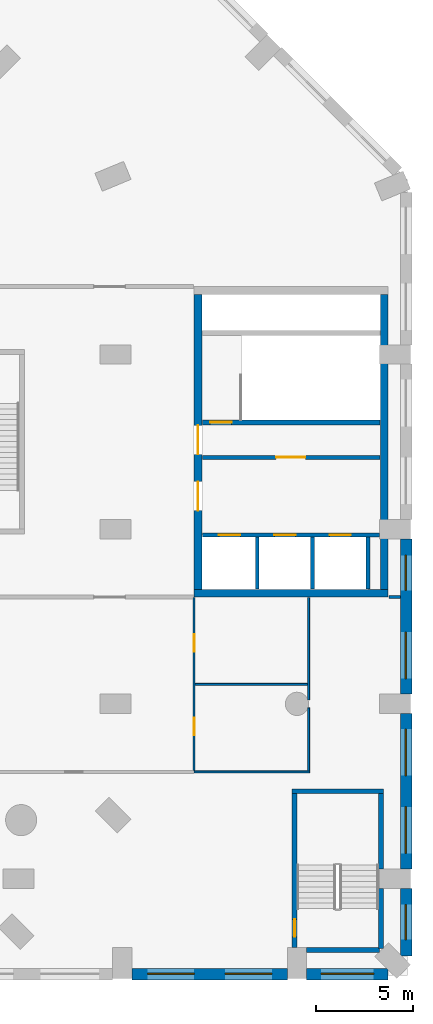
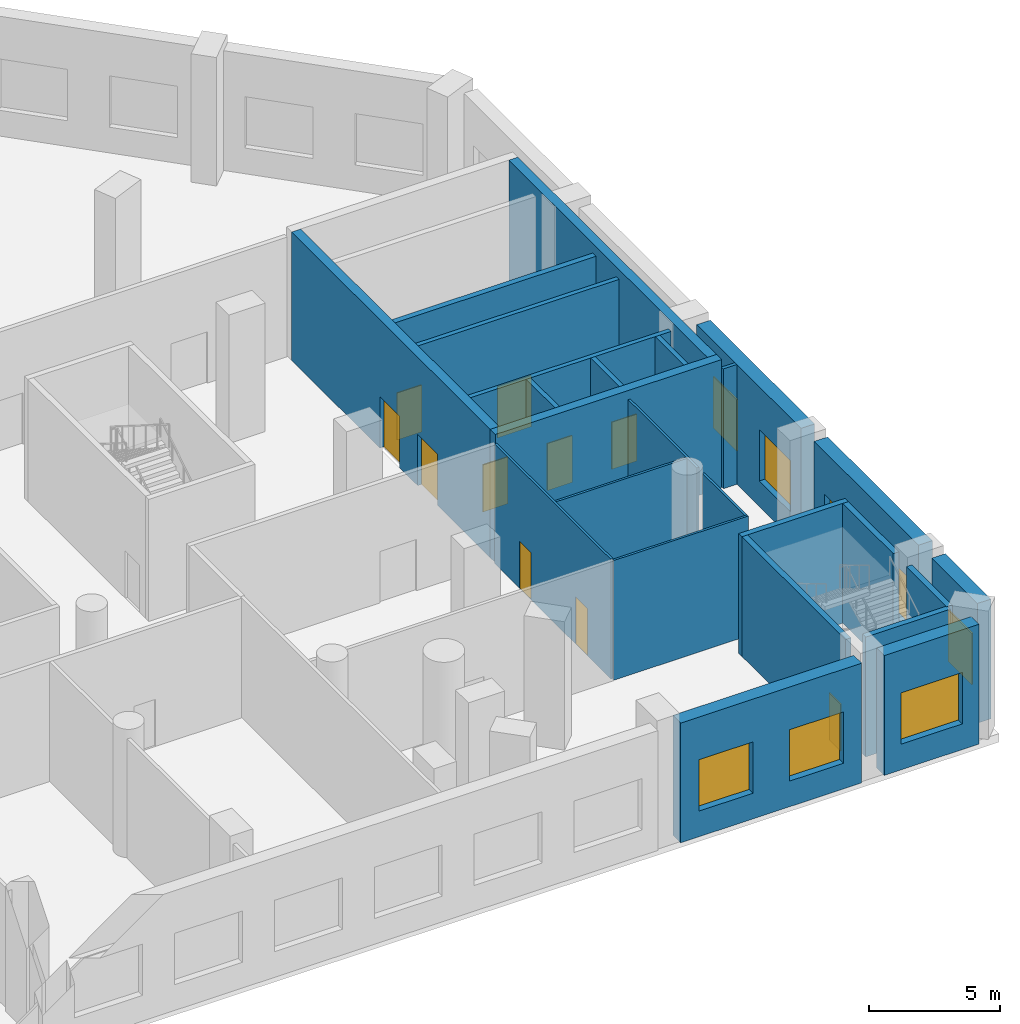
# One storey, part 8 of 19: 25 walls, 10 doors, 8 windows, 18 openings.
"""IFC4 building model written with IfcOpenShell, lengths in metres."""

from ifc_helpers import new_model, si_unit, direction, frame, frame_2d, origin, place, context, subcontext, project, spatial, rectangle, extrude, material, layer, layer_set, type_object, element, fill, save


model = new_model("IFC4")

# Units and contexts
model_context = context("Model", 3, precision=1e-05, world=origin(), true_north=direction((0.0, 1.0)))
body_context = subcontext(model_context, "Body", "Model", "MODEL_VIEW")
ifc_project = project(units=[si_unit("LENGTHUNIT", "METRE"), si_unit("AREAUNIT", "SQUARE_METRE"), si_unit("VOLUMEUNIT", "CUBIC_METRE"), si_unit("PLANEANGLEUNIT", "RADIAN"), si_unit("MASSUNIT", "GRAM", prefix="KILO")], contexts=[model_context])

# Site, building, storey
site_placement = place(None, origin())
site = spatial("IfcSite", under=ifc_project, at=site_placement, CompositionType="ELEMENT")
building_placement = place(site_placement, origin())
building = spatial("IfcBuilding", under=site, at=building_placement, Name="Cypress Arch Tower", CompositionType="ELEMENT")
storey_placement = place(building_placement, frame((0.0, 0.0, 44.0)))
storey = spatial("IfcBuildingStorey", under=building, at=storey_placement, Name="L05", CompositionType="ELEMENT", Elevation=44.0)

# Wall, openings, windows
ifc_material_1 = material(Name="Brick (red buff blend) on blockwork backing", Category="masonry")
ifc_layer_1 = layer(ifc_material_1, 0.60009765625)
ifc_layer_set_1 = layer_set([ifc_layer_1], Name="Brick base wall BW600")
wall_type_1 = type_object("IfcWallType", Name="Brick base wall BW600", PredefinedType="ELEMENTEDWALL", material=ifc_layer_set_1)
wall_1_placement = place(storey_placement, frame((24.800048828125, -27.425048828125, 0.0), z_axis=(0.0, 0.0, 1.0), x_axis=(1.0, 0.0, 0.0)))
wall_1 = element("IfcWall", 1, at=wall_1_placement, inside=storey, type_object=wall_type_1, Name="Brick wall L05 P00.7", PredefinedType="ELEMENTEDWALL", context=body_context, shape_type="SweptSolid", body=[
    extrude(rectangle(XDim=8.0, YDim=0.60009765625, at=frame_2d((4.0, 0.0))), origin(), (0.0, 0.0, 1.0), 5.595947265625),
])
opening_1_placement = place(wall_1_placement, frame((0.800048828125, 0.0, 1.199951171875)))
opening_1 = element("IfcOpeningElement", 2, at=opening_1_placement, cuts=wall_1, Name="Opening W240P", PredefinedType="OPENING", context=body_context, shape_type="SweptSolid", body=[
    extrude(rectangle(XDim=2.39990234375, YDim=2.39990234375, at=frame_2d((1.199951171875, 1.199951171875))), frame((0.0, 0.31005859375, 0.0), z_axis=(0.0, -1.0, 0.0), x_axis=(1.0, 0.0, 0.0)), (0.0, 0.0, 1.0), 0.6201171875),
])
opening_2_placement = place(wall_1_placement, frame((4.800048828125, 0.0, 1.199951171875)))
opening_2 = element("IfcOpeningElement", 3, at=opening_2_placement, cuts=wall_1, Name="Opening W240P", PredefinedType="OPENING", context=body_context, shape_type="SweptSolid", body=[
    extrude(rectangle(XDim=2.39990234375, YDim=2.39990234375, at=frame_2d((1.199951171875, 1.199951171875))), frame((0.0, 0.31005859375, 0.0), z_axis=(0.0, -1.0, 0.0), x_axis=(1.0, 0.0, 0.0)), (0.0, 0.0, 1.0), 0.6201171875),
])
ifc_material_2 = material(Name="Anodised aluminium, bronze finish, clear low-emissivity double glazing", Category="aluminium")
window_type_1 = type_object("IfcWindowType", Name="Window Podium 2400x2400", PartitioningType="SINGLE_PANEL", PredefinedType="WINDOW", material=ifc_material_2)
window_1_placement = place(opening_1_placement, origin())
window_1 = element("IfcWindow", 4, at=window_1_placement, inside=storey, type_object=window_type_1, Name="Window L05 P00.7.1", OverallHeight=2.39990234375, OverallWidth=2.39990234375, PartitioningType="SINGLE_PANEL", PredefinedType="WINDOW", context=body_context, shape_type="SweptSolid", body=[
    extrude(rectangle(XDim=2.39990234375, YDim=2.39990234375, at=frame_2d((1.199951171875, 1.199951171875))), frame((0.0, 0.06005859375, 0.0), z_axis=(0.0, -1.0, 0.0), x_axis=(1.0, 0.0, 0.0)), (0.0, 0.0, 1.0), 0.06005859375),
])
fill(opening_1, window_1)
window_2_placement = place(opening_2_placement, origin())
window_2 = element("IfcWindow", 5, at=window_2_placement, inside=storey, type_object=window_type_1, Name="Window L05 P00.7.2", OverallHeight=2.39990234375, OverallWidth=2.39990234375, PartitioningType="SINGLE_PANEL", PredefinedType="WINDOW", context=body_context, shape_type="SweptSolid", body=[
    extrude(rectangle(XDim=2.39990234375, YDim=2.39990234375, at=frame_2d((1.199951171875, 1.199951171875))), frame((0.0, 0.06005859375, 0.0), z_axis=(0.0, -1.0, 0.0), x_axis=(1.0, 0.0, 0.0)), (0.0, 0.0, 1.0), 0.06005859375),
])
fill(opening_2, window_2)

# Wall, opening, window
wall_2_placement = place(storey_placement, frame((33.800048828125, -27.425048828125, 0.0), z_axis=(0.0, 0.0, 1.0), x_axis=(1.0, 0.0, 0.0)))
wall_2 = element("IfcWall", 6, at=wall_2_placement, inside=storey, type_object=wall_type_1, Name="Brick wall L05 P00.8", PredefinedType="ELEMENTEDWALL", context=body_context, shape_type="SweptSolid", body=[
    extrude(rectangle(XDim=4.19287109375, YDim=0.60009765625, at=frame_2d((2.096435546875, 0.0))), origin(), (0.0, 0.0, 1.0), 5.595947265625),
])
opening_3_placement = place(wall_2_placement, frame((0.746337890625, 0.0, 1.199951171875)))
opening_3 = element("IfcOpeningElement", 7, at=opening_3_placement, cuts=wall_2, Name="Opening W270P", PredefinedType="OPENING", context=body_context, shape_type="SweptSolid", body=[
    extrude(rectangle(XDim=2.699951171875, YDim=2.39990234375, at=frame_2d((1.35009765625, 1.199951171875))), frame((0.0, 0.31005859375, 0.0), z_axis=(0.0, -1.0, 0.0), x_axis=(1.0, 0.0, 0.0)), (0.0, 0.0, 1.0), 0.6201171875),
])
ifc_material_3 = material(Name="Anodised aluminium, bronze finish, clear low-emissivity double glazing", Category="aluminium")
window_type_2 = type_object("IfcWindowType", Name="Window Podium 2700x2400", PartitioningType="SINGLE_PANEL", PredefinedType="WINDOW", material=ifc_material_3)
window_3_placement = place(opening_3_placement, origin())
window_3 = element("IfcWindow", 8, at=window_3_placement, inside=storey, type_object=window_type_2, Name="Window L05 P00.8.1", OverallHeight=2.39990234375, OverallWidth=2.699951171875, PartitioningType="SINGLE_PANEL", PredefinedType="WINDOW", context=body_context, shape_type="SweptSolid", body=[
    extrude(rectangle(XDim=2.699951171875, YDim=2.39990234375, at=frame_2d((1.35009765625, 1.199951171875))), frame((0.0, 0.06005859375, 0.0), z_axis=(0.0, -1.0, 0.0), x_axis=(1.0, 0.0, 0.0)), (0.0, 0.0, 1.0), 0.06005859375),
])
fill(opening_3, window_3)

wall_3_placement = place(storey_placement, frame((38.925048828125, -26.492919921875, 0.0), z_axis=(0.0, 0.0, 1.0), x_axis=(0.0, 1.0, 0.0)))
wall_3 = element("IfcWall", 9, at=wall_3_placement, inside=storey, type_object=wall_type_1, Name="Brick wall L05 P01.0", PredefinedType="ELEMENTEDWALL", context=body_context, shape_type="SweptSolid", body=[
    extrude(rectangle(XDim=3.492919921875, YDim=0.60009765625, at=frame_2d((1.74658203125, 0.0))), origin(), (0.0, 0.0, 1.0), 5.595947265625),
])
opening_4_placement = place(wall_3_placement, frame((0.846435546875, 0.0, 1.199951171875)))
opening_4 = element("IfcOpeningElement", 10, at=opening_4_placement, cuts=wall_3, Name="Opening W180P", PredefinedType="OPENING", context=body_context, shape_type="SweptSolid", body=[
    extrude(rectangle(XDim=1.800048828125, YDim=2.39990234375, at=frame_2d((0.89990234375, 1.199951171875))), frame((0.0, 0.31005859375, 0.0), z_axis=(0.0, -1.0, 0.0), x_axis=(1.0, 0.0, 0.0)), (0.0, 0.0, 1.0), 0.6201171875),
])
ifc_material_4 = material(Name="Anodised aluminium, bronze finish, clear low-emissivity double glazing", Category="aluminium")
window_type_3 = type_object("IfcWindowType", Name="Window Podium 1800x2400", PartitioningType="SINGLE_PANEL", PredefinedType="WINDOW", material=ifc_material_4)
window_4_placement = place(opening_4_placement, origin())
window_4 = element("IfcWindow", 11, at=window_4_placement, inside=storey, type_object=window_type_3, Name="Window L05 P01.0.1", OverallHeight=2.39990234375, OverallWidth=1.800048828125, PartitioningType="SINGLE_PANEL", PredefinedType="WINDOW", context=body_context, shape_type="SweptSolid", body=[
    extrude(rectangle(XDim=1.800048828125, YDim=2.39990234375, at=frame_2d((0.89990234375, 1.199951171875))), frame((0.0, 0.06005859375, 0.0), z_axis=(0.0, -1.0, 0.0), x_axis=(1.0, 0.0, 0.0)), (0.0, 0.0, 1.0), 0.06005859375),
])
fill(opening_4, window_4)

# Wall, openings, windows
wall_4_placement = place(storey_placement, frame((38.925048828125, -22.0, 0.0), z_axis=(0.0, 0.0, 1.0), x_axis=(0.0, 1.0, 0.0)))
wall_4 = element("IfcWall", 12, at=wall_4_placement, inside=storey, type_object=wall_type_1, Name="Brick wall L05 P01.1", PredefinedType="ELEMENTEDWALL", context=body_context, shape_type="SweptSolid", body=[
    extrude(rectangle(XDim=8.0, YDim=0.60009765625, at=frame_2d((4.0, 0.0))), origin(), (0.0, 0.0, 1.0), 5.595947265625),
])
opening_5_placement = place(wall_4_placement, frame((0.800048828125, 0.0, 1.199951171875)))
opening_5 = element("IfcOpeningElement", 13, at=opening_5_placement, cuts=wall_4, Name="Opening W240P", PredefinedType="OPENING", context=body_context, shape_type="SweptSolid", body=[
    extrude(rectangle(XDim=2.39990234375, YDim=2.39990234375, at=frame_2d((1.199951171875, 1.199951171875))), frame((0.0, 0.31005859375, 0.0), z_axis=(0.0, -1.0, 0.0), x_axis=(1.0, 0.0, 0.0)), (0.0, 0.0, 1.0), 0.6201171875),
])
opening_6_placement = place(wall_4_placement, frame((4.800048828125, 0.0, 1.199951171875)))
opening_6 = element("IfcOpeningElement", 14, at=opening_6_placement, cuts=wall_4, Name="Opening W240P", PredefinedType="OPENING", context=body_context, shape_type="SweptSolid", body=[
    extrude(rectangle(XDim=2.39990234375, YDim=2.39990234375, at=frame_2d((1.199951171875, 1.199951171875))), frame((0.0, 0.31005859375, 0.0), z_axis=(0.0, -1.0, 0.0), x_axis=(1.0, 0.0, 0.0)), (0.0, 0.0, 1.0), 0.6201171875),
])
window_5_placement = place(opening_5_placement, origin())
window_5 = element("IfcWindow", 15, at=window_5_placement, inside=storey, type_object=window_type_1, Name="Window L05 P01.1.1", OverallHeight=2.39990234375, OverallWidth=2.39990234375, PartitioningType="SINGLE_PANEL", PredefinedType="WINDOW", context=body_context, shape_type="SweptSolid", body=[
    extrude(rectangle(XDim=2.39990234375, YDim=2.39990234375, at=frame_2d((1.199951171875, 1.199951171875))), frame((0.0, 0.06005859375, 0.0), z_axis=(0.0, -1.0, 0.0), x_axis=(1.0, 0.0, 0.0)), (0.0, 0.0, 1.0), 0.06005859375),
])
fill(opening_5, window_5)
window_6_placement = place(opening_6_placement, origin())
window_6 = element("IfcWindow", 16, at=window_6_placement, inside=storey, type_object=window_type_1, Name="Window L05 P01.1.2", OverallHeight=2.39990234375, OverallWidth=2.39990234375, PartitioningType="SINGLE_PANEL", PredefinedType="WINDOW", context=body_context, shape_type="SweptSolid", body=[
    extrude(rectangle(XDim=2.39990234375, YDim=2.39990234375, at=frame_2d((1.199951171875, 1.199951171875))), frame((0.0, 0.06005859375, 0.0), z_axis=(0.0, -1.0, 0.0), x_axis=(1.0, 0.0, 0.0)), (0.0, 0.0, 1.0), 0.06005859375),
])
fill(opening_6, window_6)

wall_5_placement = place(storey_placement, frame((38.925048828125, -13.0, 0.0), z_axis=(0.0, 0.0, 1.0), x_axis=(0.0, 1.0, 0.0)))
wall_5 = element("IfcWall", 17, at=wall_5_placement, inside=storey, type_object=wall_type_1, Name="Brick wall L05 P01.2", PredefinedType="ELEMENTEDWALL", context=body_context, shape_type="SweptSolid", body=[
    extrude(rectangle(XDim=8.0, YDim=0.60009765625, at=frame_2d((4.0, 0.0))), origin(), (0.0, 0.0, 1.0), 5.595947265625),
])
opening_7_placement = place(wall_5_placement, frame((0.800048828125, 0.0, 1.199951171875)))
opening_7 = element("IfcOpeningElement", 18, at=opening_7_placement, cuts=wall_5, Name="Opening W240P", PredefinedType="OPENING", context=body_context, shape_type="SweptSolid", body=[
    extrude(rectangle(XDim=2.39990234375, YDim=2.39990234375, at=frame_2d((1.199951171875, 1.199951171875))), frame((0.0, 0.31005859375, 0.0), z_axis=(0.0, -1.0, 0.0), x_axis=(1.0, 0.0, 0.0)), (0.0, 0.0, 1.0), 0.6201171875),
])
opening_8_placement = place(wall_5_placement, frame((5.35009765625, 0.0, 1.199951171875)))
opening_8 = element("IfcOpeningElement", 19, at=opening_8_placement, cuts=wall_5, Name="Opening W180P", PredefinedType="OPENING", context=body_context, shape_type="SweptSolid", body=[
    extrude(rectangle(XDim=1.800048828125, YDim=2.39990234375, at=frame_2d((0.89990234375, 1.199951171875))), frame((0.0, 0.31005859375, 0.0), z_axis=(0.0, -1.0, 0.0), x_axis=(1.0, 0.0, 0.0)), (0.0, 0.0, 1.0), 0.6201171875),
])
window_7_placement = place(opening_8_placement, origin())
window_7 = element("IfcWindow", 20, at=window_7_placement, inside=storey, type_object=window_type_3, Name="Window L05 P01.2.2", OverallHeight=2.39990234375, OverallWidth=1.800048828125, PartitioningType="SINGLE_PANEL", PredefinedType="WINDOW", context=body_context, shape_type="SweptSolid", body=[
    extrude(rectangle(XDim=1.800048828125, YDim=2.39990234375, at=frame_2d((0.89990234375, 1.199951171875))), frame((0.0, 0.06005859375, 0.0), z_axis=(0.0, -1.0, 0.0), x_axis=(1.0, 0.0, 0.0)), (0.0, 0.0, 1.0), 0.06005859375),
])
fill(opening_8, window_7)
window_8_placement = place(opening_7_placement, origin())
window_8 = element("IfcWindow", 21, at=window_8_placement, inside=storey, type_object=window_type_1, Name="Window L05 P01.2.1", OverallHeight=2.39990234375, OverallWidth=2.39990234375, PartitioningType="SINGLE_PANEL", PredefinedType="WINDOW", context=body_context, shape_type="SweptSolid", body=[
    extrude(rectangle(XDim=2.39990234375, YDim=2.39990234375, at=frame_2d((1.199951171875, 1.199951171875))), frame((0.0, 0.06005859375, 0.0), z_axis=(0.0, -1.0, 0.0), x_axis=(1.0, 0.0, 0.0)), (0.0, 0.0, 1.0), 0.06005859375),
])
fill(opening_7, window_8)

# Wall, opening, door
ifc_material_5 = material(Name="Concrete blockwork, plastered, rated", Category="masonry")
ifc_layer_2 = layer(ifc_material_5, 0.199951171875)
ifc_layer_set_2 = layer_set([ifc_layer_2], Name="Corridor wall FW200")
wall_type_2 = type_object("IfcWallType", Name="Corridor wall FW200", PredefinedType="PARTITIONING", material=ifc_layer_set_2)
wall_6_placement = place(storey_placement, frame((28.429931640625, -0.800048828125, 0.0), z_axis=(0.0, 0.0, 1.0), x_axis=(1.0, 0.0, 0.0)))
wall_6 = element("IfcWall", 22, at=wall_6_placement, inside=storey, type_object=wall_type_2, Name="Corridor wall", PredefinedType="PARTITIONING", context=body_context, shape_type="SweptSolid", body=[
    extrude(rectangle(XDim=9.14013671875, YDim=0.199951171875, at=frame_2d((4.570068359375, 0.0))), origin(), (0.0, 0.0, 1.0), 5.595947265625),
])
opening_9_placement = place(wall_6_placement, frame((3.800048828125, 0.0, 0.0)))
opening_9 = element("IfcOpeningElement", 23, at=opening_9_placement, cuts=wall_6, Name="Opening D07", PredefinedType="OPENING", context=body_context, shape_type="SweptSolid", body=[
    extrude(rectangle(XDim=1.5, YDim=2.39990234375, at=frame_2d((0.75, 1.199951171875))), frame((0.0, 0.10986328125, 0.0), z_axis=(0.0, -1.0, 0.0), x_axis=(1.0, 0.0, 0.0)), (0.0, 0.0, 1.0), 0.219970703125),
])
ifc_material_6 = material(Name="Steel framed glazed door, fire resisting", Category="steel")
door_type_1 = type_object("IfcDoorType", Name="Lobby door D07 1500x2400", OperationType="DOUBLE_DOOR_SINGLE_SWING", PredefinedType="DOOR", material=ifc_material_6)
door_1_placement = place(opening_9_placement, origin())
door_1 = element("IfcDoor", 24, at=door_1_placement, inside=storey, type_object=door_type_1, Name="Lobby door", OperationType="DOUBLE_DOOR_SINGLE_SWING", OverallHeight=2.39990234375, OverallWidth=1.5, PredefinedType="DOOR", context=body_context, shape_type="SweptSolid", body=[
    extrude(rectangle(XDim=1.5, YDim=2.39990234375, at=frame_2d((0.75, 1.199951171875))), frame((0.0, 0.02490234375, 0.0), z_axis=(0.0, -1.0, 0.0), x_axis=(1.0, 0.0, 0.0)), (0.0, 0.0, 1.0), 0.050048828125),
])
fill(opening_9, door_1)

# Walls
ifc_material_7 = material(Name="Concrete C60/75", Category="concrete")
ifc_layer_3 = layer(ifc_material_7, 0.39990234375)
ifc_layer_set_3 = layer_set([ifc_layer_3], Name="East core wall CW400 C60/75")
wall_type_3 = type_object("IfcWallType", Name="East core wall CW400 C60/75", PredefinedType="SHEAR", material=ifc_layer_set_3)
wall_7_placement = place(storey_placement, frame((28.0, -7.800048828125, 0.0), z_axis=(0.0, 0.0, 1.0), x_axis=(1.0, 0.0, 0.0)))
element("IfcWall", 25, at=wall_7_placement, inside=storey, type_object=wall_type_3, Name="East core wall", PredefinedType="SHEAR", context=body_context, shape_type="SweptSolid", body=[
    extrude(rectangle(XDim=10.0, YDim=0.39990234375, at=frame_2d((5.0, 0.0))), origin(), (0.0, 0.0, 1.0), 6.0),
])
wall_8_placement = place(storey_placement, frame((37.800048828125, -7.60009765625, 0.0), z_axis=(0.0, 0.0, 1.0), x_axis=(0.0, 1.0, 0.0)))
element("IfcWall", 26, at=wall_8_placement, inside=storey, type_object=wall_type_3, Name="East core wall", PredefinedType="SHEAR", context=body_context, shape_type="SweptSolid", body=[
    extrude(rectangle(XDim=15.2001953125, YDim=0.39990234375, at=frame_2d((7.60009765625, 0.0))), origin(), (0.0, 0.0, 1.0), 6.0),
])

# Wall, openings, doors
wall_9_placement = place(storey_placement, frame((28.199951171875, -7.60009765625, 0.0), z_axis=(0.0, 0.0, 1.0), x_axis=(0.0, 1.0, 0.0)))
wall_9 = element("IfcWall", 27, at=wall_9_placement, inside=storey, type_object=wall_type_3, Name="East core wall", PredefinedType="SHEAR", context=body_context, shape_type="SweptSolid", body=[
    extrude(rectangle(XDim=15.2001953125, YDim=0.39990234375, at=frame_2d((7.60009765625, 0.0))), origin(), (0.0, 0.0, 1.0), 6.0),
])
opening_10_placement = place(wall_9_placement, frame((4.050048828125, 0.0, 0.0)))
opening_10 = element("IfcOpeningElement", 28, at=opening_10_placement, cuts=wall_9, Name="Opening D07", PredefinedType="OPENING", context=body_context, shape_type="SweptSolid", body=[
    extrude(rectangle(XDim=1.5, YDim=2.39990234375, at=frame_2d((0.75, 1.199951171875))), frame((0.0, 0.2099609375, 0.0), z_axis=(0.0, -1.0, 0.0), x_axis=(1.0, 0.0, 0.0)), (0.0, 0.0, 1.0), 0.419921875),
])
opening_11_placement = place(wall_9_placement, frame((6.949951171875, 0.0, 0.0)))
opening_11 = element("IfcOpeningElement", 29, at=opening_11_placement, cuts=wall_9, Name="Opening D07", PredefinedType="OPENING", context=body_context, shape_type="SweptSolid", body=[
    extrude(rectangle(XDim=1.5, YDim=2.39990234375, at=frame_2d((0.75, 1.199951171875))), frame((0.0, 0.2099609375, 0.0), z_axis=(0.0, -1.0, 0.0), x_axis=(1.0, 0.0, 0.0)), (0.0, 0.0, 1.0), 0.419921875),
])
door_2_placement = place(opening_10_placement, origin())
door_2 = element("IfcDoor", 30, at=door_2_placement, inside=storey, type_object=door_type_1, Name="Lobby door", OperationType="DOUBLE_DOOR_SINGLE_SWING", OverallHeight=2.39990234375, OverallWidth=1.5, PredefinedType="DOOR", context=body_context, shape_type="SweptSolid", body=[
    extrude(rectangle(XDim=1.5, YDim=2.39990234375, at=frame_2d((0.75, 1.199951171875))), frame((0.0, 0.02490234375, 0.0), z_axis=(0.0, -1.0, 0.0), x_axis=(1.0, 0.0, 0.0)), (0.0, 0.0, 1.0), 0.050048828125),
])
fill(opening_10, door_2)
door_3_placement = place(opening_11_placement, origin())
door_3 = element("IfcDoor", 31, at=door_3_placement, inside=storey, type_object=door_type_1, Name="Lobby door", OperationType="DOUBLE_DOOR_SINGLE_SWING", OverallHeight=2.39990234375, OverallWidth=1.5, PredefinedType="DOOR", context=body_context, shape_type="SweptSolid", body=[
    extrude(rectangle(XDim=1.5, YDim=2.39990234375, at=frame_2d((0.75, 1.199951171875))), frame((0.0, 0.02490234375, 0.0), z_axis=(0.0, -1.0, 0.0), x_axis=(1.0, 0.0, 0.0)), (0.0, 0.0, 1.0), 0.050048828125),
])
fill(opening_11, door_3)

# Wall
ifc_material_8 = material(Name="Blockwork, plastered both sides", Category="masonry")
ifc_layer_4 = layer(ifc_material_8, 0.14990234375)
ifc_layer_set_4 = layer_set([ifc_layer_4], Name="Partition PW150")
wall_type_4 = type_object("IfcWallType", Name="Partition PW150", PredefinedType="PARTITIONING", material=ifc_layer_set_4)
wall_10_placement = place(storey_placement, frame((38.030029296875, -8.0, 0.0), z_axis=(0.0, 0.0, 1.0), x_axis=(1.0, 0.0, 0.0)))
element("IfcWall", 32, at=wall_10_placement, inside=storey, type_object=wall_type_4, Name="Partition", PredefinedType="PARTITIONING", context=body_context, shape_type="SweptSolid", body=[
    extrude(rectangle(XDim=0.594970703125, YDim=0.14990234375, at=frame_2d((0.29736328125, 0.0))), origin(), (0.0, 0.0, 1.0), 5.595947265625),
])

# Wall, openings, doors
ifc_material_9 = material(Name="Concrete C50/60", Category="concrete")
ifc_layer_5 = layer(ifc_material_9, 0.199951171875)
ifc_layer_set_5 = layer_set([ifc_layer_5], Name="Shaft wall SH200")
wall_type_5 = type_object("IfcWallType", Name="Shaft wall SH200", PredefinedType="SHEAR", material=ifc_layer_set_5)
wall_11_placement = place(storey_placement, frame((28.429931640625, -4.800048828125, 0.0), z_axis=(0.0, 0.0, 1.0), x_axis=(1.0, 0.0, 0.0)))
wall_11 = element("IfcWall", 33, at=wall_11_placement, inside=storey, type_object=wall_type_5, Name="Shaft wall", PredefinedType="SHEAR", context=body_context, shape_type="SweptSolid", body=[
    extrude(rectangle(XDim=9.130126953125, YDim=0.199951171875, at=frame_2d((4.56494140625, 0.0))), origin(), (0.0, 0.0, 1.0), 5.595947265625),
])
opening_12_placement = place(wall_11_placement, frame((0.85009765625, 0.0, 0.0)))
opening_12 = element("IfcOpeningElement", 34, at=opening_12_placement, cuts=wall_11, Name="Opening LD-EW1", PredefinedType="OPENING", context=body_context, shape_type="SweptSolid", body=[
    extrude(rectangle(XDim=1.10009765625, YDim=2.199951171875, at=frame_2d((0.550048828125, 1.10009765625))), frame((0.0, 0.10986328125, 0.0), z_axis=(0.0, -1.0, 0.0), x_axis=(1.0, 0.0, 0.0)), (0.0, 0.0, 1.0), 0.219970703125),
])
opening_13_placement = place(wall_11_placement, frame((3.699951171875, 0.0, 0.0)))
opening_13 = element("IfcOpeningElement", 35, at=opening_13_placement, cuts=wall_11, Name="Opening LD-EW2", PredefinedType="OPENING", context=body_context, shape_type="SweptSolid", body=[
    extrude(rectangle(XDim=1.10009765625, YDim=2.199951171875, at=frame_2d((0.550048828125, 1.10009765625))), frame((0.0, 0.10986328125, 0.0), z_axis=(0.0, -1.0, 0.0), x_axis=(1.0, 0.0, 0.0)), (0.0, 0.0, 1.0), 0.219970703125),
])
opening_14_placement = place(wall_11_placement, frame((6.550048828125, 0.0, 0.0)))
opening_14 = element("IfcOpeningElement", 36, at=opening_14_placement, cuts=wall_11, Name="Opening LD-EWS", PredefinedType="OPENING", context=body_context, shape_type="SweptSolid", body=[
    extrude(rectangle(XDim=1.10009765625, YDim=2.199951171875, at=frame_2d((0.550048828125, 1.10009765625))), frame((0.0, 0.10986328125, 0.0), z_axis=(0.0, -1.0, 0.0), x_axis=(1.0, 0.0, 0.0)), (0.0, 0.0, 1.0), 0.219970703125),
])
ifc_material_10 = material(Name="Stainless steel centre-opening landing door, rated", Category="steel")
door_type_2 = type_object("IfcDoorType", Name="Lift landing door LD 1100x2200", OperationType="DOUBLE_DOOR_SLIDING", PredefinedType="DOOR", material=ifc_material_10)
door_4_placement = place(opening_12_placement, origin())
door_4 = element("IfcDoor", 37, at=door_4_placement, inside=storey, type_object=door_type_2, Name="Lift landing doors EW1", OperationType="DOUBLE_DOOR_SLIDING", OverallHeight=2.199951171875, OverallWidth=1.10009765625, PredefinedType="DOOR", context=body_context, shape_type="SweptSolid", body=[
    extrude(rectangle(XDim=1.10009765625, YDim=2.199951171875, at=frame_2d((0.550048828125, 1.10009765625))), frame((0.0, 0.02490234375, 0.0), z_axis=(0.0, -1.0, 0.0), x_axis=(1.0, 0.0, 0.0)), (0.0, 0.0, 1.0), 0.050048828125),
])
fill(opening_12, door_4)
door_5_placement = place(opening_13_placement, origin())
door_5 = element("IfcDoor", 38, at=door_5_placement, inside=storey, type_object=door_type_2, Name="Lift landing doors EW2", OperationType="DOUBLE_DOOR_SLIDING", OverallHeight=2.199951171875, OverallWidth=1.10009765625, PredefinedType="DOOR", context=body_context, shape_type="SweptSolid", body=[
    extrude(rectangle(XDim=1.10009765625, YDim=2.199951171875, at=frame_2d((0.550048828125, 1.10009765625))), frame((0.0, 0.02490234375, 0.0), z_axis=(0.0, -1.0, 0.0), x_axis=(1.0, 0.0, 0.0)), (0.0, 0.0, 1.0), 0.050048828125),
])
fill(opening_13, door_5)
door_6_placement = place(opening_14_placement, origin())
door_6 = element("IfcDoor", 39, at=door_6_placement, inside=storey, type_object=door_type_2, Name="Lift landing doors EWS", OperationType="DOUBLE_DOOR_SLIDING", OverallHeight=2.199951171875, OverallWidth=1.10009765625, PredefinedType="DOOR", context=body_context, shape_type="SweptSolid", body=[
    extrude(rectangle(XDim=1.10009765625, YDim=2.199951171875, at=frame_2d((0.550048828125, 1.10009765625))), frame((0.0, 0.02490234375, 0.0), z_axis=(0.0, -1.0, 0.0), x_axis=(1.0, 0.0, 0.0)), (0.0, 0.0, 1.0), 0.050048828125),
])
fill(opening_14, door_6)

# Walls
for number, where, z_axis, x_axis, name in (
    (40, (31.25, -7.570068359375, 0.0), (0.0, 0.0, 1.0), (0.0, 1.0, 0.0), "Shaft wall"),
    (41, (34.10009765625, -7.570068359375, 0.0), (0.0, 0.0, 1.0), (0.0, 1.0, 0.0), "Shaft wall"),
    (42, (36.949951171875, -7.570068359375, 0.0), (0.0, 0.0, 1.0), (0.0, 1.0, 0.0), "Shaft wall"),
):
    element("IfcWall", number, at=place(storey_placement, frame(where, z_axis=z_axis, x_axis=x_axis)), inside=storey, type_object=wall_type_5, Name=name, PredefinedType="SHEAR", context=body_context, shape_type="SweptSolid", body=[
        extrude(rectangle(XDim=2.670166015625, YDim=0.199951171875, at=frame_2d((1.3349609375, 0.0))), origin(), (0.0, 0.0, 1.0), 5.595947265625),
    ])

# Wall, opening, door
ifc_material_11 = material(Name="Concrete C50/60", Category="concrete")
ifc_layer_6 = layer(ifc_material_11, 0.25)
ifc_layer_set_6 = layer_set([ifc_layer_6], Name="Stair enclosure wall SW250")
wall_type_6 = type_object("IfcWallType", Name="Stair enclosure wall SW250", PredefinedType="SHEAR", material=ifc_layer_set_6)
wall_12_placement = place(storey_placement, frame((28.429931640625, 1.0, 0.0), z_axis=(0.0, 0.0, 1.0), x_axis=(1.0, 0.0, 0.0)))
wall_12 = element("IfcWall", 43, at=wall_12_placement, inside=storey, type_object=wall_type_6, Name="Stair enclosure wall", PredefinedType="SHEAR", context=body_context, shape_type="SweptSolid", body=[
    extrude(rectangle(XDim=9.14013671875, YDim=0.25, at=frame_2d((4.570068359375, 0.0))), origin(), (0.0, 0.0, 1.0), 5.595947265625),
])
opening_15_placement = place(wall_12_placement, frame((0.39990234375, 0.0, 0.0)))
opening_15 = element("IfcOpeningElement", 44, at=opening_15_placement, cuts=wall_12, Name="Opening D06", PredefinedType="OPENING", context=body_context, shape_type="SweptSolid", body=[
    extrude(rectangle(XDim=1.10009765625, YDim=2.199951171875, at=frame_2d((0.550048828125, 1.10009765625))), frame((0.0, 0.135009765625, 0.0), z_axis=(0.0, -1.0, 0.0), x_axis=(1.0, 0.0, 0.0)), (0.0, 0.0, 1.0), 0.27001953125),
])
ifc_material_12 = material(Name="Steel door, fire resisting, panic bar", Category="steel")
door_type_3 = type_object("IfcDoorType", Name="Stair door D06 1100x2200", OperationType="SINGLE_SWING_LEFT", PredefinedType="DOOR", material=ifc_material_12)
door_7_placement = place(opening_15_placement, origin())
door_7 = element("IfcDoor", 45, at=door_7_placement, inside=storey, type_object=door_type_3, Name="Stair door", OperationType="SINGLE_SWING_LEFT", OverallHeight=2.199951171875, OverallWidth=1.10009765625, PredefinedType="DOOR", context=body_context, shape_type="SweptSolid", body=[
    extrude(rectangle(XDim=1.10009765625, YDim=2.199951171875, at=frame_2d((0.550048828125, 1.10009765625))), frame((0.0, 0.02490234375, 0.0), z_axis=(0.0, -1.0, 0.0), x_axis=(1.0, 0.0, 0.0)), (0.0, 0.0, 1.0), 0.050048828125),
])
fill(opening_15, door_7)

wall_13_placement = place(storey_placement, frame((33.175048828125, -26.050048828125, 0.0), z_axis=(0.0, 0.0, 1.0), x_axis=(0.0, 1.0, 0.0)))
wall_13 = element("IfcWall", 46, at=wall_13_placement, inside=storey, type_object=wall_type_6, Name="Stair enclosure wall", PredefinedType="SHEAR", context=body_context, shape_type="SweptSolid", body=[
    extrude(rectangle(XDim=7.920166015625, YDim=0.25, at=frame_2d((3.9599609375, 0.0))), origin(), (0.0, 0.0, 1.0), 5.595947265625),
])
opening_16_placement = place(wall_13_placement, frame((0.550048828125, 0.0, 0.0)))
opening_16 = element("IfcOpeningElement", 47, at=opening_16_placement, cuts=wall_13, Name="Opening D15", PredefinedType="OPENING", context=body_context, shape_type="SweptSolid", body=[
    extrude(rectangle(XDim=0.89990234375, YDim=2.199951171875, at=frame_2d((0.449951171875, 1.10009765625))), frame((0.0, 0.135009765625, 0.0), z_axis=(0.0, -1.0, 0.0), x_axis=(1.0, 0.0, 0.0)), (0.0, 0.0, 1.0), 0.27001953125),
])
ifc_material_13 = material(Name="Steel door, fire resisting, panic bar", Category="steel")
door_type_4 = type_object("IfcDoorType", Name="Stair door D15 900x2200", OperationType="SINGLE_SWING_LEFT", PredefinedType="DOOR", material=ifc_material_13)
door_8_placement = place(opening_16_placement, origin())
door_8 = element("IfcDoor", 48, at=door_8_placement, inside=storey, type_object=door_type_4, Name="Stair door", OperationType="SINGLE_SWING_RIGHT", OverallHeight=2.199951171875, OverallWidth=0.89990234375, PredefinedType="DOOR", context=body_context, shape_type="SweptSolid", body=[
    extrude(rectangle(XDim=0.89990234375, YDim=2.199951171875, at=frame_2d((0.449951171875, 1.10009765625))), frame((0.0, 0.02490234375, 0.0), z_axis=(0.0, -1.0, 0.0), x_axis=(1.0, 0.0, 0.0)), (0.0, 0.0, 1.0), 0.050048828125),
])
fill(opening_16, door_8)

# Walls
wall_14_placement = place(storey_placement, frame((33.800048828125, -26.175048828125, 0.0), z_axis=(0.0, 0.0, 1.0), x_axis=(1.0, 0.0, 0.0)))
element("IfcWall", 49, at=wall_14_placement, inside=storey, type_object=wall_type_6, Name="Stair enclosure wall", PredefinedType="SHEAR", context=body_context, shape_type="SweptSolid", body=[
    extrude(rectangle(XDim=3.7451171875, YDim=0.25, at=frame_2d((1.87255859375, 0.0))), origin(), (0.0, 0.0, 1.0), 5.595947265625),
])
wall_15_placement = place(storey_placement, frame((33.050048828125, -18.0048828125, 0.0), z_axis=(0.0, 0.0, 1.0), x_axis=(1.0, 0.0, 0.0)))
element("IfcWall", 50, at=wall_15_placement, inside=storey, type_object=wall_type_6, Name="Stair enclosure wall", PredefinedType="SHEAR", context=body_context, shape_type="SweptSolid", body=[
    extrude(rectangle(XDim=4.699951171875, YDim=0.25, at=frame_2d((2.35009765625, 0.0))), origin(), (0.0, 0.0, 1.0), 5.595947265625),
])
wall_16_placement = place(storey_placement, frame((37.625, -26.09521484375, 0.0), z_axis=(0.0, 0.0, 1.0), x_axis=(0.0, 1.0, 0.0)))
element("IfcWall", 51, at=wall_16_placement, inside=storey, type_object=wall_type_6, Name="Stair enclosure wall", PredefinedType="SHEAR", context=body_context, shape_type="SweptSolid", body=[
    extrude(rectangle(XDim=3.09521484375, YDim=0.25, at=frame_2d((1.547607421875, 0.0))), origin(), (0.0, 0.0, 1.0), 5.595947265625),
])
wall_17_placement = place(storey_placement, frame((37.625, -22.0, 0.0), z_axis=(0.0, 0.0, 1.0), x_axis=(0.0, 1.0, 0.0)))
element("IfcWall", 52, at=wall_17_placement, inside=storey, type_object=wall_type_6, Name="Stair enclosure wall", PredefinedType="SHEAR", context=body_context, shape_type="SweptSolid", body=[
    extrude(rectangle(XDim=3.8701171875, YDim=0.25, at=frame_2d((1.93505859375, 0.0))), origin(), (0.0, 0.0, 1.0), 5.595947265625),
])
ifc_material_14 = material(Name="Moisture resistant board on steel studs, tiled", Category="steel")
ifc_layer_7 = layer(ifc_material_14, 0.10009765625)
ifc_layer_set_7 = layer_set([ifc_layer_7], Name="Wet wall PW100")
wall_type_7 = type_object("IfcWallType", Name="Wet wall PW100", PredefinedType="PARTITIONING", material=ifc_layer_set_7)
wall_18_placement = place(storey_placement, frame((28.0, -17.0, 0.0), z_axis=(0.0, 0.0, 1.0), x_axis=(1.0, 0.0, 0.0)))
element("IfcWall", 53, at=wall_18_placement, inside=storey, type_object=wall_type_7, Name="Wet wall", PredefinedType="PARTITIONING", context=body_context, shape_type="SweptSolid", body=[
    extrude(rectangle(XDim=5.949951171875, YDim=0.10009765625, at=frame_2d((2.97509765625, 0.0))), origin(), (0.0, 0.0, 1.0), 5.595947265625),
])

# Wall, openings, doors
wall_19_placement = place(storey_placement, frame((28.0, -16.925048828125, 0.0), z_axis=(0.0, 0.0, 1.0), x_axis=(0.0, 1.0, 0.0)))
wall_19 = element("IfcWall", 54, at=wall_19_placement, inside=storey, type_object=wall_type_7, Name="Wet wall", PredefinedType="PARTITIONING", context=body_context, shape_type="SweptSolid", body=[
    extrude(rectangle(XDim=8.89501953125, YDim=0.10009765625, at=frame_2d((4.447509765625, 0.0))), origin(), (0.0, 0.0, 1.0), 5.595947265625),
])
opening_17_placement = place(wall_19_placement, frame((6.10009765625, 0.0, 0.0)))
opening_17 = element("IfcOpeningElement", 55, at=opening_17_placement, cuts=wall_19, Name="Opening D03", PredefinedType="OPENING", context=body_context, shape_type="SweptSolid", body=[
    extrude(rectangle(XDim=0.89990234375, YDim=2.199951171875, at=frame_2d((0.449951171875, 1.10009765625))), frame((0.0, 0.06005859375, 0.0), z_axis=(0.0, -1.0, 0.0), x_axis=(1.0, 0.0, 0.0)), (0.0, 0.0, 1.0), 0.1201171875),
])
opening_18_placement = place(wall_19_placement, frame((1.800048828125, 0.0, 0.0)))
opening_18 = element("IfcOpeningElement", 56, at=opening_18_placement, cuts=wall_19, Name="Opening D03", PredefinedType="OPENING", context=body_context, shape_type="SweptSolid", body=[
    extrude(rectangle(XDim=0.89990234375, YDim=2.199951171875, at=frame_2d((0.449951171875, 1.10009765625))), frame((0.0, 0.06005859375, 0.0), z_axis=(0.0, -1.0, 0.0), x_axis=(1.0, 0.0, 0.0)), (0.0, 0.0, 1.0), 0.1201171875),
])
ifc_material_15 = material(Name="Timber flush door, moisture resistant", Category="wood")
door_type_5 = type_object("IfcDoorType", Name="Bathroom door D03 900x2200", OperationType="SINGLE_SWING_LEFT", PredefinedType="DOOR", material=ifc_material_15)
door_9_placement = place(opening_17_placement, origin())
door_9 = element("IfcDoor", 57, at=door_9_placement, inside=storey, type_object=door_type_5, Name="Bathroom door", OperationType="SINGLE_SWING_RIGHT", OverallHeight=2.199951171875, OverallWidth=0.89990234375, PredefinedType="DOOR", context=body_context, shape_type="SweptSolid", body=[
    extrude(rectangle(XDim=0.89990234375, YDim=2.199951171875, at=frame_2d((0.449951171875, 1.10009765625))), frame((0.0, 0.02490234375, 0.0), z_axis=(0.0, -1.0, 0.0), x_axis=(1.0, 0.0, 0.0)), (0.0, 0.0, 1.0), 0.050048828125),
])
fill(opening_17, door_9)
door_10_placement = place(opening_18_placement, origin())
door_10 = element("IfcDoor", 58, at=door_10_placement, inside=storey, type_object=door_type_5, Name="Bathroom door", OperationType="SINGLE_SWING_LEFT", OverallHeight=2.199951171875, OverallWidth=0.89990234375, PredefinedType="DOOR", context=body_context, shape_type="SweptSolid", body=[
    extrude(rectangle(XDim=0.89990234375, YDim=2.199951171875, at=frame_2d((0.449951171875, 1.10009765625))), frame((0.0, 0.02490234375, 0.0), z_axis=(0.0, -1.0, 0.0), x_axis=(1.0, 0.0, 0.0)), (0.0, 0.0, 1.0), 0.050048828125),
])
fill(opening_18, door_10)

# Walls
wall_20_placement = place(storey_placement, frame((28.050048828125, -12.5, 0.0), z_axis=(0.0, 0.0, 1.0), x_axis=(1.0, 0.0, 0.0)))
element("IfcWall", 59, at=wall_20_placement, inside=storey, type_object=wall_type_7, Name="Wet wall", PredefinedType="PARTITIONING", context=body_context, shape_type="SweptSolid", body=[
    extrude(rectangle(XDim=5.800048828125, YDim=0.10009765625, at=frame_2d((2.89990234375, 0.0))), origin(), (0.0, 0.0, 1.0), 5.595947265625),
])
wall_21_placement = place(storey_placement, frame((33.89990234375, -16.949951171875, 0.0), z_axis=(0.0, 0.0, 1.0), x_axis=(0.0, 1.0, 0.0)))
element("IfcWall", 60, at=wall_21_placement, inside=storey, type_object=wall_type_7, Name="Wet wall", PredefinedType="PARTITIONING", context=body_context, shape_type="SweptSolid", body=[
    extrude(rectangle(XDim=3.239990234375, YDim=0.10009765625, at=frame_2d((1.6201171875, 0.0))), origin(), (0.0, 0.0, 1.0), 5.595947265625),
])
wall_22_placement = place(storey_placement, frame((33.89990234375, -13.2900390625, 0.0), z_axis=(0.0, 0.0, 1.0), x_axis=(0.0, 1.0, 0.0)))
element("IfcWall", 61, at=wall_22_placement, inside=storey, type_object=wall_type_7, Name="Wet wall", PredefinedType="PARTITIONING", context=body_context, shape_type="SweptSolid", body=[
    extrude(rectangle(XDim=5.260009765625, YDim=0.10009765625, at=frame_2d((2.6298828125, 0.0))), origin(), (0.0, 0.0, 1.0), 5.595947265625),
])

save(model, "model.ifc")
